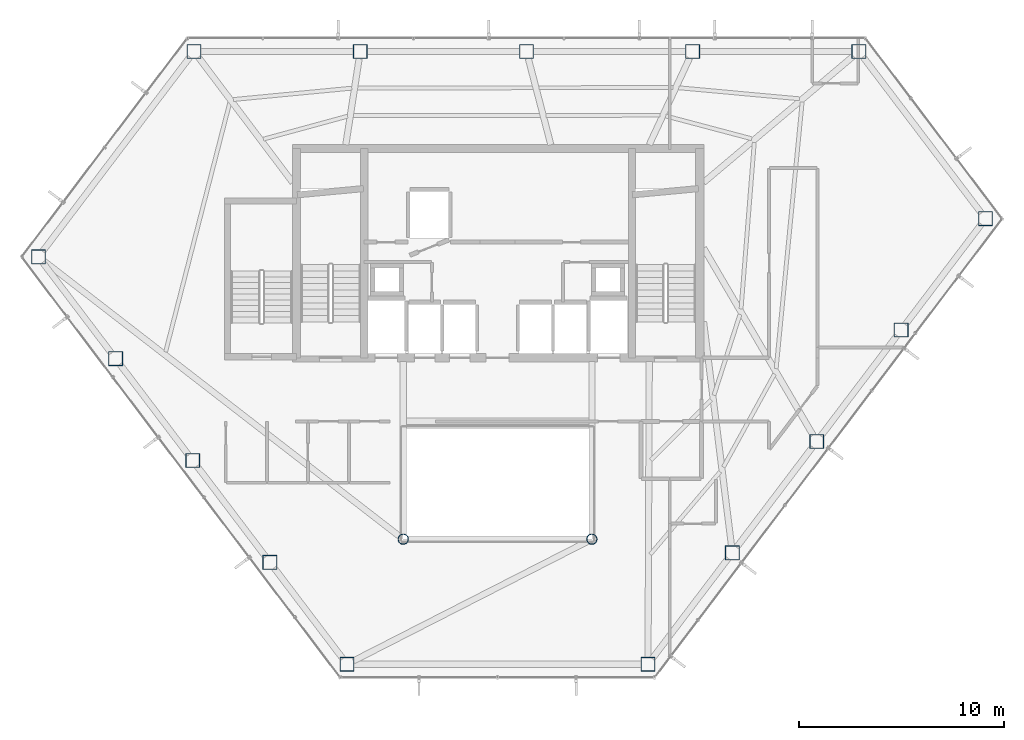
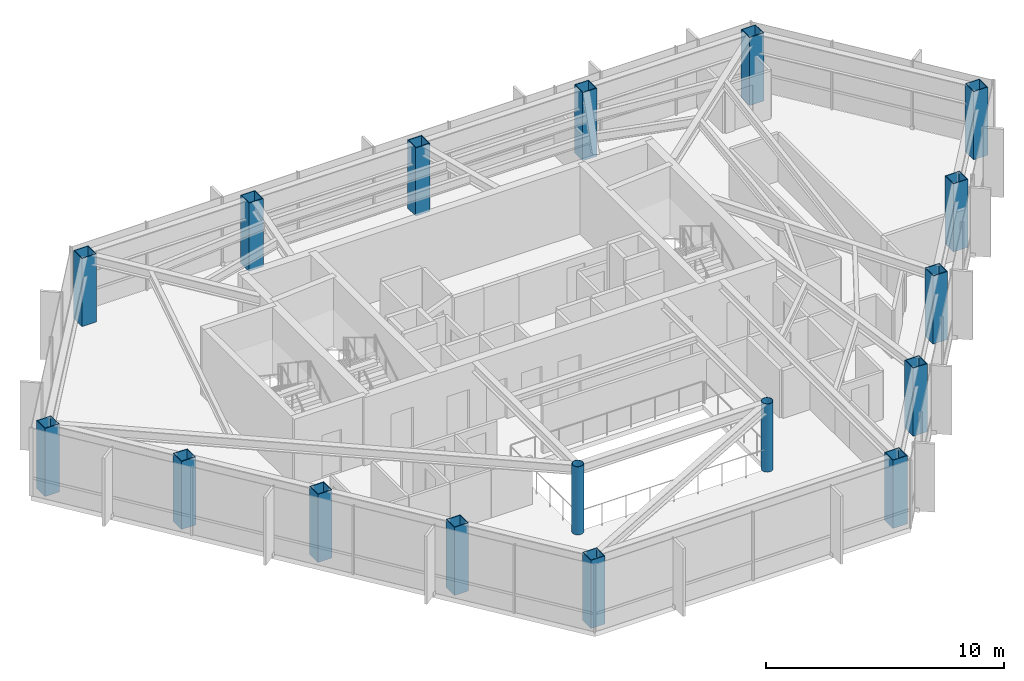
# One storey, part 1 of 28: 17 columns.
"""IFC4 building model written with IfcOpenShell, lengths in metres."""

import ifcopenshell
import ifcopenshell.guid

model = None  # the IFC model being written
_history = None  # IfcOwnerHistory: only IFC2X3 demands one
_inside = {}  # id of a spatial element -> (the spatial element, [elements in it])
_under = {}  # id of a project, library or spatial element -> (it, [spatial elements below it])
_declared = {}  # id of a project -> (the project, [libraries it declares])
_typed = {}  # id of a type object -> (the type object, [elements of that type])
_made_of = {}  # id of a material, layer set ... -> (it, [elements and type objects made of it])


def new_model(schema):
    """Start an empty IFC model of exactly this schema.

    Asked for "IFC4X3", IfcOpenShell would pick the latest addendum, in which some entities
    have other attributes; the version numbers below select the first issue.
    IFC2X3 requires an IfcOwnerHistory on every rooted entity: one is made here for all.
    """
    global model, _history
    if schema == "IFC4X3":
        model = ifcopenshell.file(schema_version=(4, 3, 0, 0))
    else:
        model = ifcopenshell.file(schema=schema)
    _inside.clear()
    _under.clear()
    _declared.clear()
    _typed.clear()
    _made_of.clear()
    _history = None
    if model.schema == "IFC2X3":
        org = make("IfcOrganization", Name="unknown")
        user = make(
            "IfcPersonAndOrganization",
            ThePerson=make("IfcPerson", FamilyName="unknown"),
            TheOrganization=org,
        )
        app = make(
            "IfcApplication",
            ApplicationDeveloper=org,
            Version="unknown",
            ApplicationFullName="unknown",
            ApplicationIdentifier="unknown",
        )
        _history = make(
            "IfcOwnerHistory",
            OwningUser=user,
            OwningApplication=app,
            ChangeAction="ADDED",
            CreationDate=0,
        )
    return model


def make(cls, **values):
    """One entity of the class cls with the attributes given. An attribute that is None is left unset."""
    return model.create_entity(
        cls, **{name: value for name, value in values.items() if value is not None}
    )


def rooted(cls, **values):
    """An entity with a GlobalId (a new one), such as an element, a storey or a relation."""
    return make(cls, GlobalId=ifcopenshell.guid.new(), OwnerHistory=_history, **values)


def si_unit(unit_type, name, prefix=None):
    """IfcSIUnit, for example si_unit("LENGTHUNIT", "METRE", prefix="MILLI")."""
    return make("IfcSIUnit", UnitType=unit_type, Prefix=prefix, Name=name)


def assignment(units):
    """IfcUnitAssignment: the units of a project."""
    return None if units is None else make("IfcUnitAssignment", Units=units)


def point(xyz):
    """IfcCartesianPoint."""
    return None if xyz is None else make("IfcCartesianPoint", Coordinates=xyz)


def direction(xyz):
    """IfcDirection."""
    return None if xyz is None else make("IfcDirection", DirectionRatios=xyz)


def frame(location, z_axis=None, x_axis=None):
    """IfcAxis2Placement3D, a coordinate frame: its origin and axes. An axis left out is left unset."""
    return make(
        "IfcAxis2Placement3D",
        Location=point(location),
        Axis=direction(z_axis),
        RefDirection=direction(x_axis),
    )


def frame_2d(location, x_axis=None):
    """IfcAxis2Placement2D, a coordinate frame in the plane: its origin and x axis."""
    return make(
        "IfcAxis2Placement2D", Location=point(location), RefDirection=direction(x_axis)
    )


def origin():
    """The frame at (0, 0, 0) with its axes left unset."""
    return frame((0.0, 0.0, 0.0))


def origin_2d():
    """The frame at (0, 0) in the plane with its x axis left unset."""
    return frame_2d((0.0, 0.0))


def place(relative_to, where):
    """IfcLocalPlacement: puts the frame where relative to a parent placement (None: the world)."""
    return make(
        "IfcLocalPlacement", PlacementRelTo=relative_to, RelativePlacement=where
    )


def context(
    kind, dimensions, precision=None, world=None, true_north=None, identifier=None
):
    """IfcGeometricRepresentationContext, for example the 3D "Model" context."""
    return make(
        "IfcGeometricRepresentationContext",
        ContextIdentifier=identifier,
        ContextType=kind,
        CoordinateSpaceDimension=dimensions,
        Precision=precision,
        WorldCoordinateSystem=world,
        TrueNorth=true_north,
    )


def subcontext(parent, identifier, kind, view, scale=None):
    """IfcGeometricRepresentationSubContext, for example "Body" below "Model"."""
    return make(
        "IfcGeometricRepresentationSubContext",
        ContextIdentifier=identifier,
        ContextType=kind,
        ParentContext=parent,
        TargetScale=scale,
        TargetView=view,
    )


def project(units=None, contexts=None):
    """IfcProject with its units and contexts."""
    return rooted(
        "IfcProject",
        Name="project",
        RepresentationContexts=contexts,
        UnitsInContext=assignment(units),
    )


def spatial(cls, under=None, at=None, **own):
    """A site, building, storey or space (cls), placed at a placement, below another one or the project."""
    s = rooted(cls, ObjectPlacement=at, **own)
    if under is not None:
        _under.setdefault(under.id(), (under, []))[1].append(s)
    return s


def profile(cls, at=None, kind="AREA", **sizes):
    """A parametric profile (cls). Its sizes go by their IFC names, for example OverallWidth=200.0."""
    return make(cls, ProfileType=kind, Position=at, **sizes)


def hollow_rectangle(**sizes):
    """IfcRectangleHollowProfileDef."""
    return profile("IfcRectangleHollowProfileDef", **sizes)


def hollow_circle(**sizes):
    """IfcCircleHollowProfileDef."""
    return profile("IfcCircleHollowProfileDef", **sizes)


def extrude(swept, where, along, depth):
    """IfcExtrudedAreaSolid: the profile swept, set in the frame where, extruded along a direction by depth."""
    return make(
        "IfcExtrudedAreaSolid",
        SweptArea=swept,
        Position=where,
        ExtrudedDirection=direction(along),
        Depth=depth,
    )


def shape(context_of_items, identifier, shape_type, items):
    """IfcShapeRepresentation: the items that make up one representation, for example the "Body"."""
    return make(
        "IfcShapeRepresentation",
        ContextOfItems=context_of_items,
        RepresentationIdentifier=identifier,
        RepresentationType=shape_type,
        Items=items,
    )


def material(Name=None, Category=None):
    """IfcMaterial."""
    return make("IfcMaterial", Name=Name, Category=Category)


def material_profile(
    of_material, cross_section, Name=None, Category=None, Priority=None
):
    """IfcMaterialProfile: a cross section and its material."""
    return make(
        "IfcMaterialProfile",
        Name=Name,
        Material=of_material,
        Profile=cross_section,
        Priority=Priority,
        Category=Category,
    )


def profile_set(profiles, Name=None, composite=None):
    """IfcMaterialProfileSet."""
    return make(
        "IfcMaterialProfileSet",
        Name=Name,
        MaterialProfiles=profiles,
        CompositeProfile=composite,
    )


def made_of(thing, what):
    """Note that an element or type object is made of a material, layer set ...; save() writes the relation."""
    if what is not None:
        _made_of.setdefault(what.id(), (what, []))[1].append(thing)
    return thing


def type_object(cls, material=None, **own):
    """A type object (cls), such as IfcWallType, which elements share."""
    return made_of(rooted(cls, **own), material)


def element(
    cls,
    number,
    at=None,
    inside=None,
    cuts=None,
    type_object=None,
    material=None,
    context=None,
    identifier="Body",
    shape_type=None,
    held_by="IfcProductDefinitionShape",
    body=None,
    shapes=None,
    **own,
):
    """One element of the class cls, such as IfcWall. Its Tag is "e" and its number.

    at: its placement. inside: the storey or other place that contains it. cuts: it is an
    opening in that element (IfcRelVoidsElement). A single representation is given by context,
    identifier, shape_type and body (its items); several are given by shapes. held_by: the class
    of the entity that holds the representations. save() writes the other relations.
    """
    e = rooted(cls, Tag="e%d" % number, ObjectPlacement=at, **own)
    if body is not None:
        shapes = [shape(context, identifier, shape_type, body)]
    if shapes is not None:
        e.Representation = make(held_by, Representations=shapes)
    if inside is not None:
        _inside.setdefault(inside.id(), (inside, []))[1].append(e)
    if cuts is not None:
        rooted(
            "IfcRelVoidsElement", RelatingBuildingElement=cuts, RelatedOpeningElement=e
        )
    if type_object is not None:
        _typed.setdefault(type_object.id(), (type_object, []))[1].append(e)
    return made_of(e, material)


def aggregate(whole, parts):
    """IfcRelAggregates: a whole, such as a stair, and the parts it consists of."""
    return rooted("IfcRelAggregates", RelatingObject=whole, RelatedObjects=parts)


def save(model, path):
    """Write the relations noted so far, then the file.

    IfcRelAggregates (storeys below a building ...), IfcRelContainedInSpatialStructure (elements
    in a storey), IfcRelDefinesByType, IfcRelAssociatesMaterial and IfcRelDeclares: one each for
    every whole, place, type object, material and project.
    """
    for whole, parts in _under.values():
        aggregate(whole, parts)
    for where, things in _inside.values():
        rooted(
            "IfcRelContainedInSpatialStructure",
            RelatedElements=things,
            RelatingStructure=where,
        )
    for kind, things in _typed.values():
        rooted("IfcRelDefinesByType", RelatedObjects=things, RelatingType=kind)
    for what, things in _made_of.values():
        rooted("IfcRelAssociatesMaterial", RelatedObjects=things, RelatingMaterial=what)
    for by, libraries in _declared.values():
        rooted("IfcRelDeclares", RelatingContext=by, RelatedDefinitions=libraries)
    model.write(path)


model = new_model("IFC4")

# Units and contexts
model_context = context("Model", 3, precision=1e-05, world=origin(), true_north=direction((0.0, 1.0)))
body_context = subcontext(model_context, "Body", "Model", "MODEL_VIEW")
ifc_project = project(units=[si_unit("LENGTHUNIT", "METRE"), si_unit("AREAUNIT", "SQUARE_METRE"), si_unit("VOLUMEUNIT", "CUBIC_METRE"), si_unit("PLANEANGLEUNIT", "RADIAN"), si_unit("MASSUNIT", "GRAM", prefix="KILO")], contexts=[model_context])

# Site, building, storey
site_placement = place(None, origin())
site = spatial("IfcSite", under=ifc_project, at=site_placement, CompositionType="ELEMENT")
building_placement = place(site_placement, origin())
building = spatial("IfcBuilding", under=site, at=building_placement, Name="Zarrinselat Tower", CompositionType="ELEMENT")
storey_placement = place(building_placement, frame((0.0, 0.0, 168.300048828125)))
storey = spatial("IfcBuildingStorey", under=building, at=storey_placement, Name="L41", CompositionType="ELEMENT", Elevation=168.300048828125)

# Columns
ifc_material_1 = material(Name="Steel S355J2", Category="steel")
ifc_material_profile_1 = material_profile(ifc_material_1, hollow_circle(Radius=0.25390625, WallThickness=0.02001953125, at=origin_2d()), Name="CHS 508x20")
ifc_profile_set_1 = profile_set([ifc_material_profile_1], Name="Steel S355J2")
column_type_1 = type_object("IfcColumnType", Name="COL-CHS508", PredefinedType="COLUMN", material=ifc_profile_set_1)
for number, where, z_axis, x_axis, name in (
    (1, (33.800048828125, 24.39990234375, 0.0), (0.0, 0.0, 1.0), (1.0, 0.0, 0.0), "L41 Atrium Corner Column 1"),
    (2, (43.0, 24.39990234375, 0.0), (0.0, 0.0, 1.0), (1.0, 0.0, 0.0), "L41 Atrium Corner Column 2"),
):
    element("IfcColumn", number, at=place(storey_placement, frame(where, z_axis=z_axis, x_axis=x_axis)), inside=storey, type_object=column_type_1, Name=name, PredefinedType="COLUMN", context=body_context, shape_type="SweptSolid", body=[
        extrude(hollow_circle(Radius=0.25390625, WallThickness=0.02001953125, at=origin_2d()), origin(), (0.0, 0.0, 1.0), 3.5),
    ])
ifc_material_2 = material(Name="Steel S355J2", Category="steel")
ifc_material_profile_2 = material_profile(ifc_material_2, hollow_rectangle(XDim=0.699951171875, YDim=0.699951171875, WallThickness=0.034912109375, at=origin_2d()), Name="SHS 700x700x35")
ifc_profile_set_2 = profile_set([ifc_material_profile_2], Name="Steel S355J2")
column_type_2 = type_object("IfcColumnType", Name="COL-SHS700", PredefinedType="COLUMN", material=ifc_profile_set_2)
for number, where, z_axis, x_axis, name in (
    (3, (56.023681640625, 48.18896484375, 0.0), (0.0, 0.0, 1.0), (1.0, 0.0, 0.0), "L41 Framed-Tube Column T01"),
    (4, (47.91748046875, 48.18896484375, 0.0), (0.0, 0.0, 1.0), (1.0, 0.0, 0.0), "L41 Framed-Tube Column T02"),
    (5, (39.81103515625, 48.18896484375, 0.0), (0.0, 0.0, 1.0), (1.0, 0.0, 0.0), "L41 Framed-Tube Column T03"),
    (6, (31.70458984375, 48.18896484375, 0.0), (0.0, 0.0, 1.0), (1.0, 0.0, 0.0), "L41 Framed-Tube Column T04"),
    (7, (23.598388671875, 48.18896484375, 0.0), (0.0, 0.0, 1.0), (1.0, 0.0, 0.0), "L41 Framed-Tube Column T05"),
    (8, (16.00927734375, 38.171142578125, 0.0), (0.0, 0.0, 1.0), (1.0, 0.0, 0.0), "L41 Framed-Tube Column T06"),
    (9, (19.772216796875, 33.2041015625, 0.0), (0.0, 0.0, 1.0), (1.0, 0.0, 0.0), "L41 Framed-Tube Column T07"),
    (10, (23.534912109375, 28.2373046875, 0.0), (0.0, 0.0, 1.0), (1.0, 0.0, 0.0), "L41 Framed-Tube Column T08"),
    (11, (27.2978515625, 23.270263671875, 0.0), (0.0, 0.0, 1.0), (1.0, 0.0, 0.0), "L41 Framed-Tube Column T09"),
    (12, (31.060546875, 18.30322265625, 0.0), (0.0, 0.0, 1.0), (1.0, 0.0, 0.0), "L41 Framed-Tube Column T10"),
    (13, (45.739501953125, 18.30322265625, 0.0), (0.0, 0.0, 1.0), (1.0, 0.0, 0.0), "L41 Framed-Tube Column T11"),
    (14, (49.85498046875, 23.73583984375, 0.0), (0.0, 0.0, 1.0), (1.0, 0.0, 0.0), "L41 Framed-Tube Column T12"),
    (15, (53.970703125, 29.16845703125, 0.0), (0.0, 0.0, 1.0), (1.0, 0.0, 0.0), "L41 Framed-Tube Column T13"),
    (16, (58.086181640625, 34.60107421875, 0.0), (0.0, 0.0, 1.0), (1.0, 0.0, 0.0), "L41 Framed-Tube Column T14"),
    (17, (62.201904296875, 40.03369140625, 0.0), (0.0, 0.0, 1.0), (1.0, 0.0, 0.0), "L41 Framed-Tube Column T15"),
):
    element("IfcColumn", number, at=place(storey_placement, frame(where, z_axis=z_axis, x_axis=x_axis)), inside=storey, type_object=column_type_2, Name=name, PredefinedType="COLUMN", context=body_context, shape_type="SweptSolid", body=[
        extrude(hollow_rectangle(XDim=0.699951171875, YDim=0.699951171875, WallThickness=0.034912109375, at=origin_2d()), origin(), (0.0, 0.0, 1.0), 3.5),
    ])

save(model, "model.ifc")
